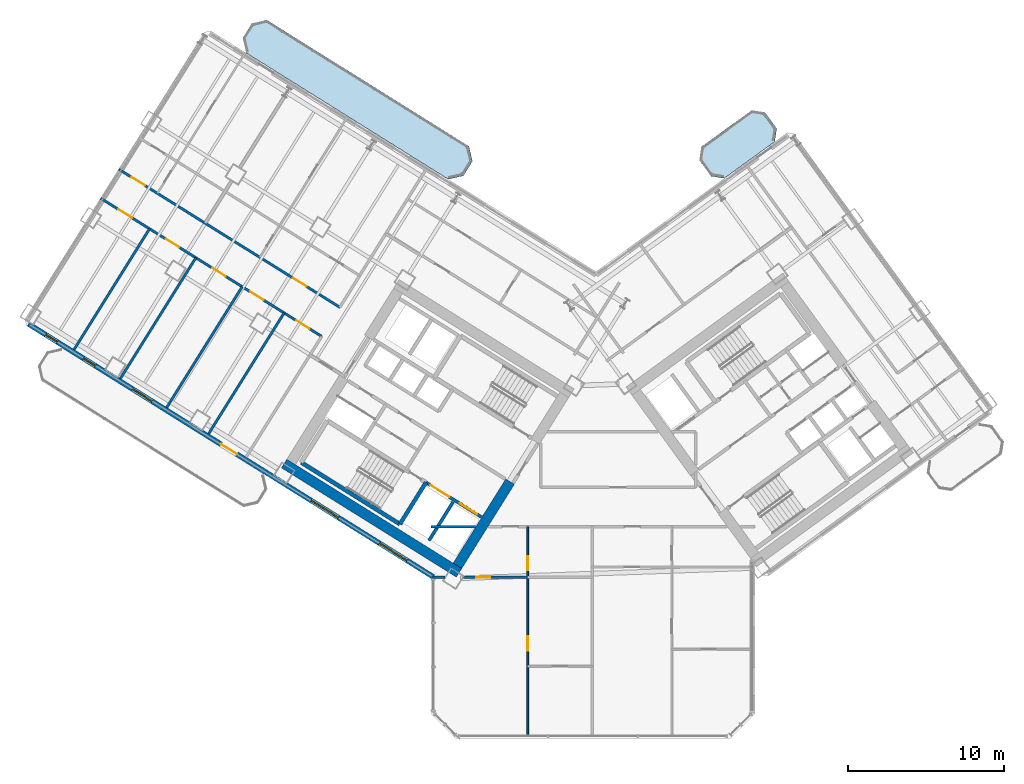
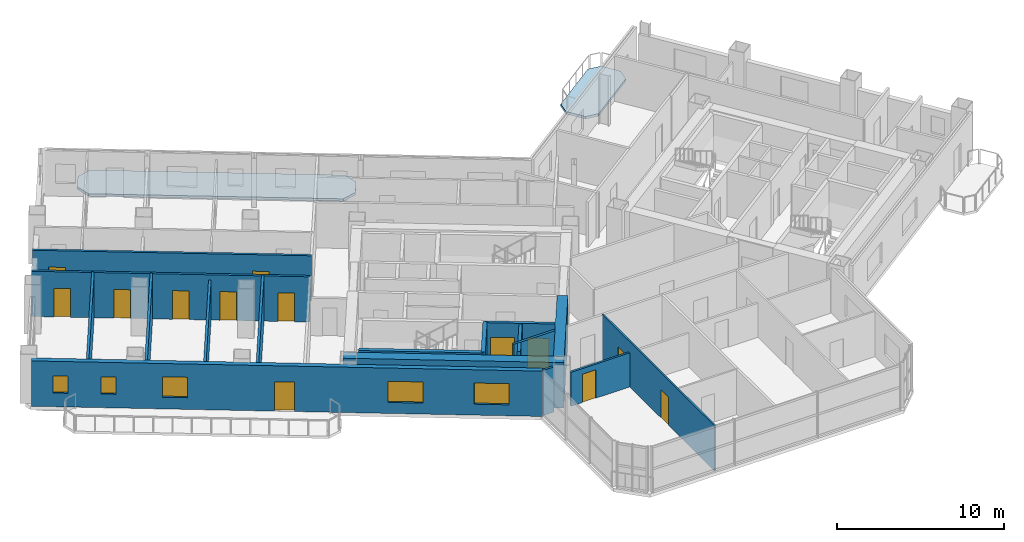
# One storey, part 11 of 21: 17 walls, 13 doors, 5 windows, 2 slabs, 18 openings.
"""IFC4 building model written with IfcOpenShell, lengths in metres."""

from ifc_helpers import new_model, si_unit, direction, frame, frame_2d, origin, place, context, subcontext, project, spatial, polyline, rectangle, outline, extrude, source, transform, mapped, material, layer, layer_set, type_object, element, fill, save


model = new_model("IFC4")

# Units and contexts
model_context = context("Model", 3, precision=1e-05, world=origin(), true_north=direction((0.0, 1.0)))
body_context = subcontext(model_context, "Body", "Model", "MODEL_VIEW")
ifc_project = project(units=[si_unit("LENGTHUNIT", "METRE"), si_unit("AREAUNIT", "SQUARE_METRE"), si_unit("VOLUMEUNIT", "CUBIC_METRE"), si_unit("PLANEANGLEUNIT", "RADIAN"), si_unit("MASSUNIT", "GRAM", prefix="KILO")], contexts=[model_context])

# Site, building, storey
site_placement = place(None, origin())
site = spatial("IfcSite", under=ifc_project, at=site_placement, CompositionType="ELEMENT")
building_placement = place(site_placement, origin())
building = spatial("IfcBuilding", under=site, at=building_placement, Name="Tlacorven Tower", CompositionType="ELEMENT")
storey_placement = place(building_placement, frame((0.0, 0.0, 81.0)))
storey = spatial("IfcBuildingStorey", under=building, at=storey_placement, Name="L20", CompositionType="ELEMENT", Elevation=81.0)

# Slabs
ifc_material_1 = material(Name="Precast concrete C45/55", Category="concrete")
ifc_layer_1 = layer(ifc_material_1, 0.179931640625)
ifc_layer_set_1 = layer_set([ifc_layer_1], Name="Precast concrete C45/55")
slab_type = type_object("IfcSlabType", Name="SL-BAL-180", PredefinedType="USERDEFINED", material=ifc_layer_set_1)
slab_1_placement = place(storey_placement, frame((0.0, 0.0, -0.179931640625)))
element("IfcSlab", 1, at=slab_1_placement, inside=storey, type_object=slab_type, Name="L20 West Wing Balcony Ribbon IN", ObjectType="BALCONY SLAB", PredefinedType="USERDEFINED", context=body_context, shape_type="SweptSolid", body=[
    extrude(outline(polyline([(34.0419921875, 39.835693359375), (21.06689453125, 47.943359375), (20.102294921875, 47.720703125), (19.52197265625, 46.7919921875), (19.744873046875, 45.827392578125), (32.719970703125, 37.7197265625), (33.6845703125, 37.9423828125), (34.2646484375, 38.87109375), (34.0419921875, 39.835693359375)])), origin(), (0.0, 0.0, 1.0), 0.179931640625),
])
slab_2_placement = place(storey_placement, frame((0.0, 0.0, -0.179931640625)))
element("IfcSlab", 2, at=slab_2_placement, inside=storey, type_object=slab_type, Name="L20 East Wing Balcony Ribbon IN", ObjectType="BALCONY SLAB", PredefinedType="USERDEFINED", context=body_context, shape_type="SweptSolid", body=[
    extrude(outline(polyline([(50.433837890625, 37.77880859375), (53.669921875, 40.1298828125), (53.802490234375, 40.968017578125), (53.04150390625, 42.015625), (52.203369140625, 42.1484375), (48.96728515625, 39.79736328125), (48.83447265625, 38.959228515625), (49.595703125, 37.91162109375), (50.433837890625, 37.77880859375)])), origin(), (0.0, 0.0, 1.0), 0.179931640625),
])

# Walls
ifc_material_2 = material(Name="Concrete C60/75", Category="concrete")
ifc_layer_2 = layer(ifc_material_2, 0.64990234375)
ifc_layer_set_2 = layer_set([ifc_layer_2], Name="Concrete C60/75")
wall_type_1 = type_object("IfcWallType", Name="WL-COR-650", PredefinedType="SHEAR", material=ifc_layer_set_2)
wall_1_placement = place(storey_placement, frame((33.40869140625, 12.449951171875, 0.0), z_axis=(0.0, 0.0, 1.0), x_axis=(-0.848051132073, 0.529914405721, 0.0)))
element("IfcWall", 3, at=wall_1_placement, inside=storey, type_object=wall_type_1, Name="L20 W core shear wall S2", PredefinedType="SHEAR", context=body_context, shape_type="SweptSolid", body=[
    extrude(rectangle(XDim=13.239990234375, YDim=0.64990234375, at=frame_2d((6.6201171875, 0.0))), origin(), (0.0, 0.0, 1.0), 3.320068359375),
])
wall_2_placement = place(storey_placement, frame((36.683349609375, 18.30419921875, 0.0), z_axis=(0.0, 0.0, 1.0), x_axis=(-0.529899109053, -0.848060690178, 0.0)))
element("IfcWall", 4, at=wall_2_placement, inside=storey, type_object=wall_type_1, Name="L20 W core end wall E1.2", PredefinedType="SHEAR", context=body_context, shape_type="SweptSolid", body=[
    extrude(rectangle(XDim=6.375244140625, YDim=0.64990234375, at=frame_2d((3.1875, 0.0))), origin(), (0.0, 0.0, 1.0), 3.320068359375),
])

# Wall, openings, doors
ifc_material_3 = material(Name="Gypsum plasterboard acoustic partition", Category="gypsum")
ifc_layer_3 = layer(ifc_material_3, 0.159912109375)
ifc_layer_set_3 = layer_set([ifc_layer_3], Name="Gypsum plasterboard acoustic partition")
wall_type_2 = type_object("IfcWallType", Name="WL-DEM-160", PredefinedType="PARTITIONING", material=ifc_layer_set_3)
wall_3_placement = place(storey_placement, frame((25.75390625, 29.49658203125, 0.0), z_axis=(0.0, 0.0, 1.0), x_axis=(-0.848045850158, 0.529922858565, 0.0)))
wall_3 = element("IfcWall", 5, at=wall_3_placement, inside=storey, type_object=wall_type_2, Name="L20 Wing W Corridor South Wall", PredefinedType="PARTITIONING", context=body_context, shape_type="SweptSolid", body=[
    extrude(rectangle(XDim=16.730224609375, YDim=0.159912109375, at=frame_2d((8.365234375, 0.0))), origin(), (0.0, 0.0, 1.0), 3.31005859375),
])
opening_1_placement = place(wall_3_placement, frame((2.532470703125, 0.0, 0.0)))
opening_1 = element("IfcOpeningElement", 6, at=opening_1_placement, cuts=wall_3, Name="Opening D11", PredefinedType="OPENING", context=body_context, shape_type="SweptSolid", body=[
    extrude(rectangle(XDim=1.0, YDim=2.10009765625, at=frame_2d((0.5, 1.050048828125))), frame((0.0, 0.08984375, 0.0), z_axis=(0.0, -1.0, 0.0), x_axis=(1.0, 0.0, 0.0)), (0.0, 0.0, 1.0), 0.179931640625),
])
opening_2_placement = place(wall_3_placement, frame((14.760009765625, 0.0, 0.0)))
opening_2 = element("IfcOpeningElement", 7, at=opening_2_placement, cuts=wall_3, Name="Opening D11", PredefinedType="OPENING", context=body_context, shape_type="SweptSolid", body=[
    extrude(rectangle(XDim=1.0, YDim=2.10009765625, at=frame_2d((0.5, 1.050048828125))), frame((0.0, 0.08984375, 0.0), z_axis=(0.0, -1.0, 0.0), x_axis=(1.0, 0.0, 0.0)), (0.0, 0.0, 1.0), 0.179931640625),
])
ifc_material_4 = material(Name="Fire-rated steel door assembly", Category="steel")
door_type_1 = type_object("IfcDoorType", Name="DR-FLT-FD60-1000", OperationType="NOTDEFINED", PredefinedType="DOOR", material=ifc_material_4)
shared_shape_1 = source(origin(), body_context, "Body", "SweptSolid", [
    extrude(rectangle(XDim=1.0, YDim=2.10009765625, at=frame_2d((0.5, 1.050048828125))), frame((0.0, 0.02490234375, 0.0), z_axis=(0.0, -1.0, 0.0), x_axis=(1.0, 0.0, 0.0)), (0.0, 0.0, 1.0), 0.050048828125),
])
door_1_placement = place(opening_1_placement, origin())
door_1 = element("IfcDoor", 8, at=door_1_placement, inside=storey, type_object=door_type_1, Name="L20 door 030", OperationType="SINGLE_SWING_RIGHT", OverallHeight=2.10009765625, OverallWidth=1.0, PredefinedType="DOOR", context=body_context, shape_type="MappedRepresentation", body=[
    mapped(shared_shape_1, transform((0.0, 0.0, 0.0), scale=1.0)),
])
fill(opening_1, door_1)
door_2_placement = place(opening_2_placement, origin())
door_2 = element("IfcDoor", 9, at=door_2_placement, inside=storey, type_object=door_type_1, Name="L20 door 035", OperationType="SINGLE_SWING_LEFT", OverallHeight=2.10009765625, OverallWidth=1.0, PredefinedType="DOOR", context=body_context, shape_type="MappedRepresentation", body=[
    mapped(shared_shape_1, transform((0.0, 0.0, 0.0), scale=1.0)),
])
fill(opening_2, door_2)

wall_4_placement = place(storey_placement, frame((24.587890625, 27.630859375, 0.0), z_axis=(0.0, 0.0, 1.0), x_axis=(-0.848041752158, 0.529929416617, 0.0)))
wall_4 = element("IfcWall", 10, at=wall_4_placement, inside=storey, type_object=wall_type_2, Name="L20 Wing W Corridor North Wall", PredefinedType="PARTITIONING", context=body_context, shape_type="SweptSolid", body=[
    extrude(rectangle(XDim=16.72998046875, YDim=0.159912109375, at=frame_2d((8.364990234375, 0.0))), origin(), (0.0, 0.0, 1.0), 3.31005859375),
])
opening_3_placement = place(wall_4_placement, frame((0.92041015625, 0.0, 0.0)))
opening_3 = element("IfcOpeningElement", 11, at=opening_3_placement, cuts=wall_4, Name="Opening D11", PredefinedType="OPENING", context=body_context, shape_type="SweptSolid", body=[
    extrude(rectangle(XDim=1.0, YDim=2.10009765625, at=frame_2d((0.5, 1.050048828125))), frame((0.0, 0.08984375, 0.0), z_axis=(0.0, -1.0, 0.0), x_axis=(1.0, 0.0, 0.0)), (0.0, 0.0, 1.0), 0.179931640625),
])
opening_4_placement = place(wall_4_placement, frame((4.408447265625, 0.0, 0.0)))
opening_4 = element("IfcOpeningElement", 12, at=opening_4_placement, cuts=wall_4, Name="Opening D11", PredefinedType="OPENING", context=body_context, shape_type="SweptSolid", body=[
    extrude(rectangle(XDim=1.0, YDim=2.10009765625, at=frame_2d((0.5, 1.050048828125))), frame((0.0, 0.08984375, 0.0), z_axis=(0.0, -1.0, 0.0), x_axis=(1.0, 0.0, 0.0)), (0.0, 0.0, 1.0), 0.179931640625),
])
opening_5_placement = place(wall_4_placement, frame((7.2705078125, 0.0, 0.0)))
opening_5 = element("IfcOpeningElement", 13, at=opening_5_placement, cuts=wall_4, Name="Opening D11", PredefinedType="OPENING", context=body_context, shape_type="SweptSolid", body=[
    extrude(rectangle(XDim=1.0, YDim=2.10009765625, at=frame_2d((0.5, 1.050048828125))), frame((0.0, 0.08984375, 0.0), z_axis=(0.0, -1.0, 0.0), x_axis=(1.0, 0.0, 0.0)), (0.0, 0.0, 1.0), 0.179931640625),
])
opening_6_placement = place(wall_4_placement, frame((10.779541015625, 0.0, 0.0)))
opening_6 = element("IfcOpeningElement", 14, at=opening_6_placement, cuts=wall_4, Name="Opening D11", PredefinedType="OPENING", context=body_context, shape_type="SweptSolid", body=[
    extrude(rectangle(XDim=1.0, YDim=2.10009765625, at=frame_2d((0.5, 1.050048828125))), frame((0.0, 0.08984375, 0.0), z_axis=(0.0, -1.0, 0.0), x_axis=(1.0, 0.0, 0.0)), (0.0, 0.0, 1.0), 0.179931640625),
])
opening_7_placement = place(wall_4_placement, frame((14.3720703125, 0.0, 0.0)))
opening_7 = element("IfcOpeningElement", 15, at=opening_7_placement, cuts=wall_4, Name="Opening D11", PredefinedType="OPENING", context=body_context, shape_type="SweptSolid", body=[
    extrude(rectangle(XDim=1.0, YDim=2.10009765625, at=frame_2d((0.5, 1.050048828125))), frame((0.0, 0.08984375, 0.0), z_axis=(0.0, -1.0, 0.0), x_axis=(1.0, 0.0, 0.0)), (0.0, 0.0, 1.0), 0.179931640625),
])
door_3_placement = place(opening_3_placement, origin())
door_3 = element("IfcDoor", 16, at=door_3_placement, inside=storey, type_object=door_type_1, Name="L20 door 024", OperationType="SINGLE_SWING_RIGHT", OverallHeight=2.10009765625, OverallWidth=1.0, PredefinedType="DOOR", context=body_context, shape_type="MappedRepresentation", body=[
    mapped(shared_shape_1, transform((0.0, 0.0, 0.0), scale=1.0)),
])
fill(opening_3, door_3)
door_4_placement = place(opening_4_placement, origin())
door_4 = element("IfcDoor", 17, at=door_4_placement, inside=storey, type_object=door_type_1, Name="L20 door 025", OperationType="SINGLE_SWING_RIGHT", OverallHeight=2.10009765625, OverallWidth=1.0, PredefinedType="DOOR", context=body_context, shape_type="MappedRepresentation", body=[
    mapped(shared_shape_1, transform((0.0, 0.0, 0.0), scale=1.0)),
])
fill(opening_4, door_4)
door_5_placement = place(opening_5_placement, origin())
door_5 = element("IfcDoor", 18, at=door_5_placement, inside=storey, type_object=door_type_1, Name="L20 door 026", OperationType="SINGLE_SWING_RIGHT", OverallHeight=2.10009765625, OverallWidth=1.0, PredefinedType="DOOR", context=body_context, shape_type="MappedRepresentation", body=[
    mapped(shared_shape_1, transform((0.0, 0.0, 0.0), scale=1.0)),
])
fill(opening_5, door_5)
door_6_placement = place(opening_6_placement, origin())
door_6 = element("IfcDoor", 19, at=door_6_placement, inside=storey, type_object=door_type_1, Name="L20 door 027", OperationType="SINGLE_SWING_RIGHT", OverallHeight=2.10009765625, OverallWidth=1.0, PredefinedType="DOOR", context=body_context, shape_type="MappedRepresentation", body=[
    mapped(shared_shape_1, transform((0.0, 0.0, 0.0), scale=1.0)),
])
fill(opening_6, door_6)
door_7_placement = place(opening_7_placement, origin())
door_7 = element("IfcDoor", 20, at=door_7_placement, inside=storey, type_object=door_type_1, Name="L20 door 028", OperationType="SINGLE_SWING_RIGHT", OverallHeight=2.10009765625, OverallWidth=1.0, PredefinedType="DOOR", context=body_context, shape_type="MappedRepresentation", body=[
    mapped(shared_shape_1, transform((0.0, 0.0, 0.0), scale=1.0)),
])
fill(opening_7, door_7)

# Walls
wall_5_placement = place(storey_placement, frame((22.1787109375, 29.136474609375, 0.0), z_axis=(0.0, 0.0, 1.0), x_axis=(-0.529922190913, -0.848046267357, 0.0)))
element("IfcWall", 21, at=wall_5_placement, inside=storey, type_object=wall_type_2, Name="L20 partition 57", PredefinedType="PARTITIONING", context=body_context, shape_type="SweptSolid", body=[
    extrude(rectangle(XDim=9.150146484375, YDim=0.159912109375, at=frame_2d((4.5751953125, 0.0))), origin(), (0.0, 0.0, 1.0), 3.31005859375),
])
wall_6_placement = place(storey_placement, frame((19.486083984375, 30.81884765625, 0.0), z_axis=(0.0, 0.0, 1.0), x_axis=(-0.529914992377, -0.848050765494, 0.0)))
element("IfcWall", 22, at=wall_6_placement, inside=storey, type_object=wall_type_2, Name="L20 partition 58", PredefinedType="PARTITIONING", context=body_context, shape_type="SweptSolid", body=[
    extrude(rectangle(XDim=9.14990234375, YDim=0.159912109375, at=frame_2d((4.574951171875, 0.0))), origin(), (0.0, 0.0, 1.0), 2.93505859375),
])
wall_7_placement = place(storey_placement, frame((16.51025390625, 32.678466796875, 0.0), z_axis=(0.0, 0.0, 1.0), x_axis=(-0.529903001606, -0.848058257957, 0.0)))
element("IfcWall", 23, at=wall_7_placement, inside=storey, type_object=wall_type_2, Name="L20 partition 59", PredefinedType="PARTITIONING", context=body_context, shape_type="SweptSolid", body=[
    extrude(rectangle(XDim=9.150146484375, YDim=0.159912109375, at=frame_2d((4.5751953125, 0.0))), origin(), (0.0, 0.0, 1.0), 3.31005859375),
])
wall_8_placement = place(storey_placement, frame((13.53466796875, 34.537841796875, 0.0), z_axis=(0.0, 0.0, 1.0), x_axis=(-0.529934181779, -0.848038774457, 0.0)))
element("IfcWall", 24, at=wall_8_placement, inside=storey, type_object=wall_type_2, Name="L20 partition 60", PredefinedType="PARTITIONING", context=body_context, shape_type="SweptSolid", body=[
    extrude(rectangle(XDim=9.14990234375, YDim=0.159912109375, at=frame_2d((4.574951171875, 0.0))), origin(), (0.0, 0.0, 1.0), 3.31005859375),
])
wall_9_placement = place(storey_placement, frame((31.60009765625, 15.419921875, 0.0), z_axis=(0.0, 0.0, 1.0), x_axis=(1.0, 0.0, 0.0)))
element("IfcWall", 25, at=wall_9_placement, inside=storey, type_object=wall_type_2, Name="L20 Knuckle Corridor South Wall", PredefinedType="PARTITIONING", context=body_context, shape_type="SweptSolid", body=[
    extrude(rectangle(XDim=2.8662109375, YDim=0.159912109375, at=frame_2d((1.43310546875, 0.0))), origin(), (0.0, 0.0, 1.0), 3.31005859375),
])

# Wall, openings, door, windows
ifc_layer_4 = layer(ifc_material_1, 0.320068359375)
ifc_layer_set_4 = layer_set([ifc_layer_4], Name="Precast concrete C45/55")
wall_type_3 = type_object("IfcWallType", Name="WL-EXT-320", PredefinedType="STANDARD", material=ifc_layer_set_4)
wall_10_placement = place(storey_placement, frame((31.760009765625, 12.18310546875, 0.0), z_axis=(0.0, 0.0, 1.0), x_axis=(-0.848047074256, 0.529920899612, 0.0)))
wall_10 = element("IfcWall", 26, at=wall_10_placement, inside=storey, type_object=wall_type_3, Name="L20 Masonry-Frame Recessed Facade Wall 1", PredefinedType="STANDARD", context=body_context, shape_type="SweptSolid", body=[
    extrude(rectangle(XDim=30.652099609375, YDim=0.320068359375, at=frame_2d((15.326171875, 0.0))), origin(), (0.0, 0.0, 1.0), 3.320068359375),
])
opening_8_placement = place(wall_10_placement, frame((14.87841796875, 0.0, 0.0)))
opening_8 = element("IfcOpeningElement", 27, at=opening_8_placement, cuts=wall_10, Name="Opening D05", PredefinedType="OPENING", context=body_context, shape_type="SweptSolid", body=[
    extrude(rectangle(XDim=1.199951171875, YDim=2.14990234375, at=frame_2d((0.60009765625, 1.074951171875))), frame((0.0, 0.169921875, 0.0), z_axis=(0.0, -1.0, 0.0), x_axis=(1.0, 0.0, 0.0)), (0.0, 0.0, 1.0), 0.340087890625),
])
opening_9_placement = place(wall_10_placement, frame((1.989501953125, 0.0, 0.800048828125)))
opening_9 = element("IfcOpeningElement", 28, at=opening_9_placement, cuts=wall_10, Name="Opening WN04", PredefinedType="OPENING", context=body_context, shape_type="SweptSolid", body=[
    extrude(rectangle(XDim=2.10009765625, YDim=1.550048828125, at=frame_2d((1.050048828125, 0.77490234375))), frame((0.0, 0.169921875, 0.0), z_axis=(0.0, -1.0, 0.0), x_axis=(1.0, 0.0, 0.0)), (0.0, 0.0, 1.0), 0.340087890625),
])
opening_10_placement = place(wall_10_placement, frame((7.168701171875, 0.0, 0.800048828125)))
opening_10 = element("IfcOpeningElement", 29, at=opening_10_placement, cuts=wall_10, Name="Opening WN04", PredefinedType="OPENING", context=body_context, shape_type="SweptSolid", body=[
    extrude(rectangle(XDim=2.10009765625, YDim=1.550048828125, at=frame_2d((1.050048828125, 0.77490234375))), frame((0.0, 0.169921875, 0.0), z_axis=(0.0, -1.0, 0.0), x_axis=(1.0, 0.0, 0.0)), (0.0, 0.0, 1.0), 0.340087890625),
])
opening_11_placement = place(wall_10_placement, frame((21.288818359375, 0.0, 0.85009765625)))
opening_11 = element("IfcOpeningElement", 30, at=opening_11_placement, cuts=wall_10, Name="Opening WN02", PredefinedType="OPENING", context=body_context, shape_type="SweptSolid", body=[
    extrude(rectangle(XDim=1.5, YDim=1.5, at=frame_2d((0.75, 0.75))), frame((0.0, 0.169921875, 0.0), z_axis=(0.0, -1.0, 0.0), x_axis=(1.0, 0.0, 0.0)), (0.0, 0.0, 1.0), 0.340087890625),
])
opening_12_placement = place(wall_10_placement, frame((25.59033203125, 0.0, 1.0)))
opening_12 = element("IfcOpeningElement", 31, at=opening_12_placement, cuts=wall_10, Name="Opening WN05", PredefinedType="OPENING", context=body_context, shape_type="SweptSolid", body=[
    extrude(rectangle(XDim=0.89990234375, YDim=1.25, at=frame_2d((0.449951171875, 0.625))), frame((0.0, 0.169921875, 0.0), z_axis=(0.0, -1.0, 0.0), x_axis=(1.0, 0.0, 0.0)), (0.0, 0.0, 1.0), 0.340087890625),
])
opening_13_placement = place(wall_10_placement, frame((28.47021484375, 0.0, 1.0)))
opening_13 = element("IfcOpeningElement", 32, at=opening_13_placement, cuts=wall_10, Name="Opening WN05", PredefinedType="OPENING", context=body_context, shape_type="SweptSolid", body=[
    extrude(rectangle(XDim=0.89990234375, YDim=1.25, at=frame_2d((0.449951171875, 0.625))), frame((0.0, 0.169921875, 0.0), z_axis=(0.0, -1.0, 0.0), x_axis=(1.0, 0.0, 0.0)), (0.0, 0.0, 1.0), 0.340087890625),
])
ifc_material_5 = material(Name="Powder-coated aluminium and timber door", Category="wood")
door_type_2 = type_object("IfcDoorType", Name="DR-EXT-BALC-1200", OperationType="NOTDEFINED", PredefinedType="DOOR", material=ifc_material_5)
shared_shape_2 = source(origin(), body_context, "Body", "SweptSolid", [
    extrude(rectangle(XDim=1.199951171875, YDim=2.14990234375, at=frame_2d((0.60009765625, 1.074951171875))), frame((0.0, 0.02490234375, 0.0), z_axis=(0.0, -1.0, 0.0), x_axis=(1.0, 0.0, 0.0)), (0.0, 0.0, 1.0), 0.050048828125),
])
door_8_placement = place(opening_8_placement, origin())
door_8 = element("IfcDoor", 33, at=door_8_placement, inside=storey, type_object=door_type_2, Name="L20 Outdoor Access Door BAL-L20-W-OUT", OperationType="SINGLE_SWING_LEFT", OverallHeight=2.14990234375, OverallWidth=1.199951171875, PredefinedType="DOOR", context=body_context, shape_type="MappedRepresentation", body=[
    mapped(shared_shape_2, transform((0.0, 0.0, 0.0), scale=1.0)),
])
fill(opening_8, door_8)
ifc_material_6 = material(Name="Dark solar low-E double glazing in anodised aluminium frame", Category="aluminium")
window_type_1 = type_object("IfcWindowType", Name="WN-APT-2100X1750", PartitioningType="SINGLE_PANEL", PredefinedType="WINDOW", material=ifc_material_6)
shared_shape_3 = source(origin(), body_context, "Body", "SweptSolid", [
    extrude(rectangle(XDim=2.10009765625, YDim=1.550048828125, at=frame_2d((1.050048828125, 0.77490234375))), frame((0.0, 0.030029296875, 0.0), z_axis=(0.0, -1.0, 0.0), x_axis=(1.0, 0.0, 0.0)), (0.0, 0.0, 1.0), 0.06005859375),
])
window_1_placement = place(opening_9_placement, origin())
window_1 = element("IfcWindow", 34, at=window_1_placement, inside=storey, type_object=window_type_1, Name="L20 Recessed Masonry-Frame Window L20-01.1", OverallHeight=1.550048828125, OverallWidth=2.10009765625, PartitioningType="SINGLE_PANEL", PredefinedType="WINDOW", context=body_context, shape_type="MappedRepresentation", body=[
    mapped(shared_shape_3, transform((0.0, 0.0, 0.0), scale=1.0)),
])
fill(opening_9, window_1)
window_2_placement = place(opening_10_placement, origin())
window_2 = element("IfcWindow", 35, at=window_2_placement, inside=storey, type_object=window_type_1, Name="L20 Recessed Masonry-Frame Window L20-01.2", OverallHeight=1.550048828125, OverallWidth=2.10009765625, PartitioningType="SINGLE_PANEL", PredefinedType="WINDOW", context=body_context, shape_type="MappedRepresentation", body=[
    mapped(shared_shape_3, transform((0.0, 0.0, 0.0), scale=1.0)),
])
fill(opening_10, window_2)
window_type_2 = type_object("IfcWindowType", Name="WN-APT-1500X1650", PartitioningType="SINGLE_PANEL", PredefinedType="WINDOW", material=ifc_material_6)
shared_shape_4 = source(origin(), body_context, "Body", "SweptSolid", [
    extrude(rectangle(XDim=1.5, YDim=1.5, at=frame_2d((0.75, 0.75))), frame((0.0, 0.030029296875, 0.0), z_axis=(0.0, -1.0, 0.0), x_axis=(1.0, 0.0, 0.0)), (0.0, 0.0, 1.0), 0.06005859375),
])
window_3_placement = place(opening_11_placement, origin())
window_3 = element("IfcWindow", 36, at=window_3_placement, inside=storey, type_object=window_type_2, Name="L20 Recessed Masonry-Frame Window L20-01.3", OverallHeight=1.5, OverallWidth=1.5, PartitioningType="SINGLE_PANEL", PredefinedType="WINDOW", context=body_context, shape_type="MappedRepresentation", body=[
    mapped(shared_shape_4, transform((0.0, 0.0, 0.0), scale=1.0)),
])
fill(opening_11, window_3)
window_type_3 = type_object("IfcWindowType", Name="WN-APT-0900X1350", PartitioningType="SINGLE_PANEL", PredefinedType="WINDOW", material=ifc_material_6)
shared_shape_5 = source(origin(), body_context, "Body", "SweptSolid", [
    extrude(rectangle(XDim=0.89990234375, YDim=1.25, at=frame_2d((0.449951171875, 0.625))), frame((0.0, 0.030029296875, 0.0), z_axis=(0.0, -1.0, 0.0), x_axis=(1.0, 0.0, 0.0)), (0.0, 0.0, 1.0), 0.06005859375),
])
window_4_placement = place(opening_12_placement, origin())
window_4 = element("IfcWindow", 37, at=window_4_placement, inside=storey, type_object=window_type_3, Name="L20 Recessed Masonry-Frame Window L20-01.4", OverallHeight=1.25, OverallWidth=0.89990234375, PartitioningType="SINGLE_PANEL", PredefinedType="WINDOW", context=body_context, shape_type="MappedRepresentation", body=[
    mapped(shared_shape_5, transform((0.0, 0.0, 0.0), scale=1.0)),
])
fill(opening_12, window_4)
window_5_placement = place(opening_13_placement, origin())
window_5 = element("IfcWindow", 38, at=window_5_placement, inside=storey, type_object=window_type_3, Name="L20 Recessed Masonry-Frame Window L20-01.5", OverallHeight=1.25, OverallWidth=0.89990234375, PartitioningType="SINGLE_PANEL", PredefinedType="WINDOW", context=body_context, shape_type="MappedRepresentation", body=[
    mapped(shared_shape_5, transform((0.0, 0.0, 0.0), scale=1.0)),
])
fill(opening_13, window_5)

# Wall, openings, doors
ifc_material_7 = material(Name="Gypsum plasterboard partition", Category="gypsum")
ifc_layer_5 = layer(ifc_material_7, 0.110107421875)
ifc_layer_set_5 = layer_set([ifc_layer_5], Name="Gypsum plasterboard partition")
wall_type_4 = type_object("IfcWallType", Name="WL-INT-110", PredefinedType="PARTITIONING", material=ifc_layer_set_5)
wall_11_placement = place(storey_placement, frame((37.81298828125, 1.9599609375, 0.0), z_axis=(0.0, 0.0, 1.0), x_axis=(0.0, 1.0, 0.0)))
wall_11 = element("IfcWall", 39, at=wall_11_placement, inside=storey, type_object=wall_type_4, Name="L20 partition 82", PredefinedType="PARTITIONING", context=body_context, shape_type="SweptSolid", body=[
    extrude(rectangle(XDim=13.4599609375, YDim=0.110107421875, at=frame_2d((6.72998046875, 0.0))), origin(), (0.0, 0.0, 1.0), 3.31005859375),
])
opening_14_placement = place(wall_11_placement, frame((5.5, 0.0, 0.0)))
opening_14 = element("IfcOpeningElement", 40, at=opening_14_placement, cuts=wall_11, Name="Opening D12", PredefinedType="OPENING", context=body_context, shape_type="SweptSolid", body=[
    extrude(rectangle(XDim=0.919921875, YDim=2.080078125, at=frame_2d((0.4599609375, 1.0400390625))), frame((0.0, 0.06494140625, 0.0), z_axis=(0.0, -1.0, 0.0), x_axis=(1.0, 0.0, 0.0)), (0.0, 0.0, 1.0), 0.130126953125),
])
opening_15_placement = place(wall_11_placement, frame((10.669921875, 0.0, 0.0)))
opening_15 = element("IfcOpeningElement", 41, at=opening_15_placement, cuts=wall_11, Name="Opening D13", PredefinedType="OPENING", context=body_context, shape_type="SweptSolid", body=[
    extrude(rectangle(XDim=0.8798828125, YDim=2.080078125, at=frame_2d((0.43994140625, 1.0400390625))), frame((0.0, 0.06494140625, 0.0), z_axis=(0.0, -1.0, 0.0), x_axis=(1.0, 0.0, 0.0)), (0.0, 0.0, 1.0), 0.130126953125),
])
door_type_3 = type_object("IfcDoorType", Name="DR-INT-WET-0880", OperationType="NOTDEFINED", PredefinedType="DOOR", material=ifc_material_5)
shared_shape_6 = source(origin(), body_context, "Body", "SweptSolid", [
    extrude(rectangle(XDim=0.8798828125, YDim=2.080078125, at=frame_2d((0.43994140625, 1.0400390625))), frame((0.0, 0.02490234375, 0.0), z_axis=(0.0, -1.0, 0.0), x_axis=(1.0, 0.0, 0.0)), (0.0, 0.0, 1.0), 0.050048828125),
])
door_9_placement = place(opening_15_placement, origin())
door_9 = element("IfcDoor", 42, at=door_9_placement, inside=storey, type_object=door_type_3, Name="L20 door 049", OperationType="SINGLE_SWING_LEFT", OverallHeight=2.080078125, OverallWidth=0.8798828125, PredefinedType="DOOR", context=body_context, shape_type="MappedRepresentation", body=[
    mapped(shared_shape_6, transform((0.0, 0.0, 0.0), scale=1.0)),
])
fill(opening_15, door_9)
door_type_4 = type_object("IfcDoorType", Name="DR-INT-ROOM-0920", OperationType="NOTDEFINED", PredefinedType="DOOR", material=ifc_material_5)
shared_shape_7 = source(origin(), body_context, "Body", "SweptSolid", [
    extrude(rectangle(XDim=0.919921875, YDim=2.080078125, at=frame_2d((0.4599609375, 1.0400390625))), frame((0.0, 0.02490234375, 0.0), z_axis=(0.0, -1.0, 0.0), x_axis=(1.0, 0.0, 0.0)), (0.0, 0.0, 1.0), 0.050048828125),
])
door_10_placement = place(opening_14_placement, origin())
door_10 = element("IfcDoor", 43, at=door_10_placement, inside=storey, type_object=door_type_4, Name="L20 door 045", OperationType="SINGLE_SWING_LEFT", OverallHeight=2.080078125, OverallWidth=0.919921875, PredefinedType="DOOR", context=body_context, shape_type="MappedRepresentation", body=[
    mapped(shared_shape_7, transform((0.0, 0.0, 0.0), scale=1.0)),
])
fill(opening_14, door_10)

# Wall
ifc_material_8 = material(Name="Moisture-resistant gypsum plumbing wall", Category="gypsum")
ifc_layer_6 = layer(ifc_material_8, 0.139892578125)
ifc_layer_set_6 = layer_set([ifc_layer_6], Name="Moisture-resistant gypsum plumbing wall")
wall_type_5 = type_object("IfcWallType", Name="WL-PLM-140", PredefinedType="PLUMBINGWALL", material=ifc_layer_set_6)
wall_12_placement = place(storey_placement, frame((31.739990234375, 12.169921875, 0.0), z_axis=(0.0, 0.0, 1.0), x_axis=(1.0, 0.0, 0.0)))
element("IfcWall", 44, at=wall_12_placement, inside=storey, type_object=wall_type_5, Name="L20 partition 83", PredefinedType="PLUMBINGWALL", context=body_context, shape_type="SweptSolid", body=[
    extrude(rectangle(XDim=0.75439453125, YDim=0.139892578125, at=frame_2d((0.377197265625, 0.0))), origin(), (0.0, 0.0, 1.0), 3.31005859375),
])

# Wall, opening, door
wall_13_placement = place(storey_placement, frame((33.701904296875, 12.169921875, 0.0), z_axis=(0.0, 0.0, 1.0), x_axis=(1.0, 0.0, 0.0)))
wall_13 = element("IfcWall", 45, at=wall_13_placement, inside=storey, type_object=wall_type_5, Name="L20 partition 83", PredefinedType="PLUMBINGWALL", context=body_context, shape_type="SweptSolid", body=[
    extrude(rectangle(XDim=4.111083984375, YDim=0.139892578125, at=frame_2d((2.0556640625, 0.0))), origin(), (0.0, 0.0, 1.0), 2.4951171875),
])
opening_16_placement = place(wall_13_placement, frame((0.794677734375, 0.0, 0.0)))
opening_16 = element("IfcOpeningElement", 46, at=opening_16_placement, cuts=wall_13, Name="Opening D12", PredefinedType="OPENING", context=body_context, shape_type="SweptSolid", body=[
    extrude(rectangle(XDim=0.919921875, YDim=2.080078125, at=frame_2d((0.4599609375, 1.0400390625))), frame((0.0, 0.080078125, 0.0), z_axis=(0.0, -1.0, 0.0), x_axis=(1.0, 0.0, 0.0)), (0.0, 0.0, 1.0), 0.159912109375),
])
door_11_placement = place(opening_16_placement, frame((0.919921875, 0.0, 0.0), z_axis=(0.0, 0.0, 1.0), x_axis=(-1.0, 0.0, 0.0)))
door_11 = element("IfcDoor", 47, at=door_11_placement, inside=storey, type_object=door_type_4, Name="L20 door 048", OperationType="SINGLE_SWING_RIGHT", OverallHeight=2.080078125, OverallWidth=0.919921875, PredefinedType="DOOR", context=body_context, shape_type="MappedRepresentation", body=[
    mapped(shared_shape_7, transform((0.0, 0.0, 0.0), scale=1.0)),
])
fill(opening_16, door_11)

# Wall, openings, doors
ifc_material_9 = material(Name="Concrete C40/50", Category="concrete")
ifc_layer_7 = layer(ifc_material_9, 0.199951171875)
ifc_layer_set_7 = layer_set([ifc_layer_7], Name="Concrete C40/50")
wall_type_6 = type_object("IfcWallType", Name="WL-SHF-200", PredefinedType="STANDARD", material=ifc_layer_set_7)
wall_14_placement = place(storey_placement, frame((34.84814453125, 16.03125, 0.0), z_axis=(0.0, 0.0, 1.0), x_axis=(-0.848044042236, 0.529925751807, 0.0)))
wall_14 = element("IfcWall", 48, at=wall_14_placement, inside=storey, type_object=wall_type_6, Name="L20 Core W Firefighting Lift Shaft Front Wall", PredefinedType="STANDARD", context=body_context, shape_type="SweptSolid", body=[
    extrude(rectangle(XDim=4.197998046875, YDim=0.199951171875, at=frame_2d((2.09912109375, 0.0))), origin(), (0.0, 0.0, 1.0), 3.31005859375),
])
opening_17_placement = place(wall_14_placement, frame((0.347900390625, 0.0, 0.0)))
opening_17 = element("IfcOpeningElement", 49, at=opening_17_placement, cuts=wall_14, Name="Opening LD03", PredefinedType="OPENING", context=body_context, shape_type="SweptSolid", body=[
    extrude(rectangle(XDim=1.300048828125, YDim=2.199951171875, at=frame_2d((0.64990234375, 1.10009765625))), frame((0.0, 0.10986328125, 0.0), z_axis=(0.0, -1.0, 0.0), x_axis=(1.0, 0.0, 0.0)), (0.0, 0.0, 1.0), 0.219970703125),
])
opening_18_placement = place(wall_14_placement, frame((2.423095703125, 0.0, 0.0)))
opening_18 = element("IfcOpeningElement", 50, at=opening_18_placement, cuts=wall_14, Name="Opening LD04", PredefinedType="OPENING", context=body_context, shape_type="SweptSolid", body=[
    extrude(rectangle(XDim=1.449951171875, YDim=2.25, at=frame_2d((0.72509765625, 1.125))), frame((0.0, 0.10986328125, 0.0), z_axis=(0.0, -1.0, 0.0), x_axis=(1.0, 0.0, 0.0)), (0.0, 0.0, 1.0), 0.219970703125),
])
door_type_5 = type_object("IfcDoorType", Name="DR-LFT-SLID-1300", OperationType="DOUBLE_DOOR_SLIDING", PredefinedType="DOOR", material=ifc_material_4)
shared_shape_8 = source(origin(), body_context, "Body", "SweptSolid", [
    extrude(rectangle(XDim=1.300048828125, YDim=2.199951171875, at=frame_2d((0.64990234375, 1.10009765625))), frame((0.0, 0.02490234375, 0.0), z_axis=(0.0, -1.0, 0.0), x_axis=(1.0, 0.0, 0.0)), (0.0, 0.0, 1.0), 0.050048828125),
])
door_12_placement = place(opening_17_placement, origin())
door_12 = element("IfcDoor", 51, at=door_12_placement, inside=storey, type_object=door_type_5, Name="L20 Lift FFL-W1 Sliding Landing Door", OperationType="DOUBLE_DOOR_SLIDING", OverallHeight=2.199951171875, OverallWidth=1.300048828125, PredefinedType="DOOR", context=body_context, shape_type="MappedRepresentation", body=[
    mapped(shared_shape_8, transform((0.0, 0.0, 0.0), scale=1.0)),
])
fill(opening_17, door_12)
door_type_6 = type_object("IfcDoorType", Name="DR-LFT-SLID-1450", OperationType="DOUBLE_DOOR_SLIDING", PredefinedType="DOOR", material=ifc_material_4)
shared_shape_9 = source(origin(), body_context, "Body", "SweptSolid", [
    extrude(rectangle(XDim=1.449951171875, YDim=2.25, at=frame_2d((0.72509765625, 1.125))), frame((0.0, 0.02490234375, 0.0), z_axis=(0.0, -1.0, 0.0), x_axis=(1.0, 0.0, 0.0)), (0.0, 0.0, 1.0), 0.050048828125),
])
door_13_placement = place(opening_18_placement, origin())
door_13 = element("IfcDoor", 52, at=door_13_placement, inside=storey, type_object=door_type_6, Name="L20 Lift SVL-W1 Sliding Landing Door", OperationType="DOUBLE_DOOR_SLIDING", OverallHeight=2.25, OverallWidth=1.449951171875, PredefinedType="DOOR", context=body_context, shape_type="MappedRepresentation", body=[
    mapped(shared_shape_9, transform((0.0, 0.0, 0.0), scale=1.0)),
])
fill(opening_18, door_13)

# Walls
wall_15_placement = place(storey_placement, frame((33.02880859375, 17.003173828125, 0.0), z_axis=(0.0, 0.0, 1.0), x_axis=(-0.529916267533, -0.848049968695, 0.0)))
element("IfcWall", 53, at=wall_15_placement, inside=storey, type_object=wall_type_6, Name="L20 partition 14", PredefinedType="STANDARD", context=body_context, shape_type="SweptSolid", body=[
    extrude(rectangle(XDim=2.919921875, YDim=0.199951171875, at=frame_2d((1.4599609375, 0.0))), origin(), (0.0, 0.0, 1.0), 3.31005859375),
])
ifc_material_10 = material(Name="Concrete C50/60", Category="concrete")
ifc_layer_8 = layer(ifc_material_10, 0.260009765625)
ifc_layer_set_8 = layer_set([ifc_layer_8], Name="Concrete C50/60")
wall_type_7 = type_object("IfcWallType", Name="WL-STW-260", PredefinedType="SHEAR", material=ifc_layer_set_8)
wall_16_placement = place(storey_placement, frame((29.60498046875, 15.581298828125, 0.0), z_axis=(0.0, 0.0, 1.0), x_axis=(-0.848036911448, 0.529937163087, 0.0)))
element("IfcWall", 54, at=wall_16_placement, inside=storey, type_object=wall_type_7, Name="L20 Stair W1 Far Shear Wall", PredefinedType="SHEAR", context=body_context, shape_type="SweptSolid", body=[
    extrude(rectangle(XDim=7.4599609375, YDim=0.260009765625, at=frame_2d((3.72998046875, 0.0))), origin(), (0.0, 0.0, 1.0), 3.320068359375),
])
wall_17_placement = place(storey_placement, frame((31.2880859375, 18.255859375, 0.0), z_axis=(0.0, 0.0, 1.0), x_axis=(-0.529943379326, -0.848033026897, 0.0)))
element("IfcWall", 55, at=wall_17_placement, inside=storey, type_object=wall_type_7, Name="L20 Stair W1 West Shear Wall", PredefinedType="SHEAR", context=body_context, shape_type="SweptSolid", body=[
    extrude(rectangle(XDim=3.159912109375, YDim=0.260009765625, at=frame_2d((1.580078125, 0.0))), origin(), (0.0, 0.0, 1.0), 3.320068359375),
])

save(model, "model.ifc")
